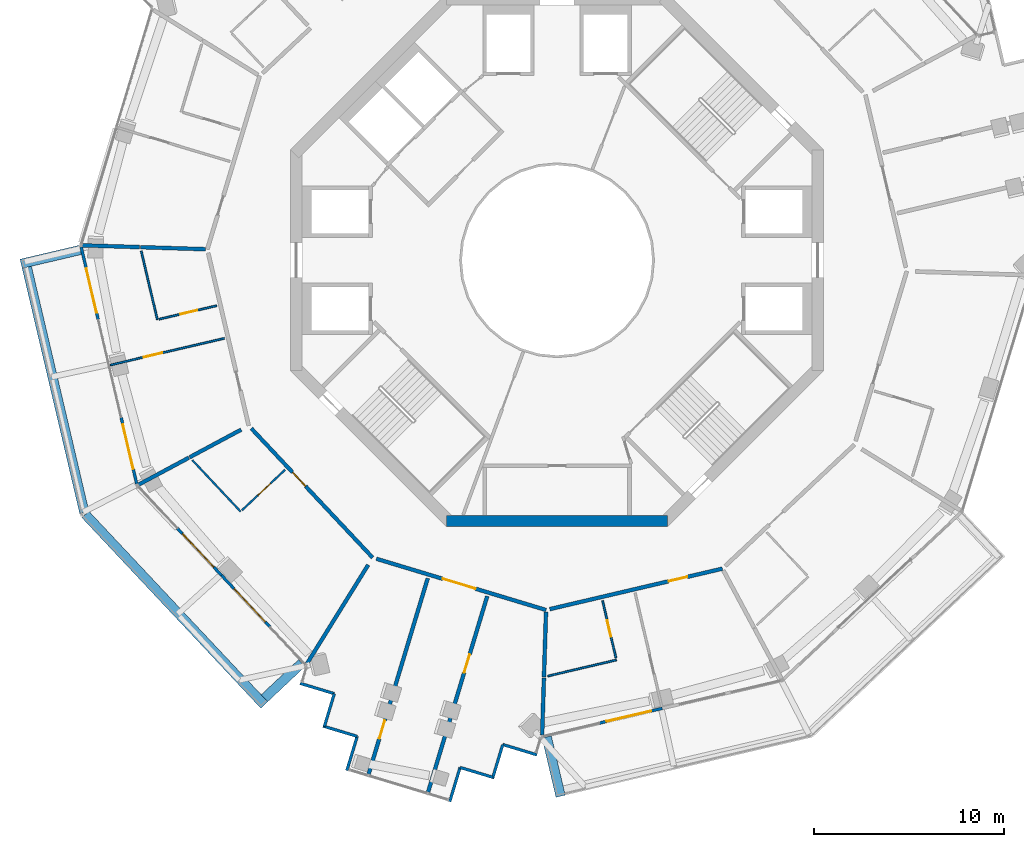
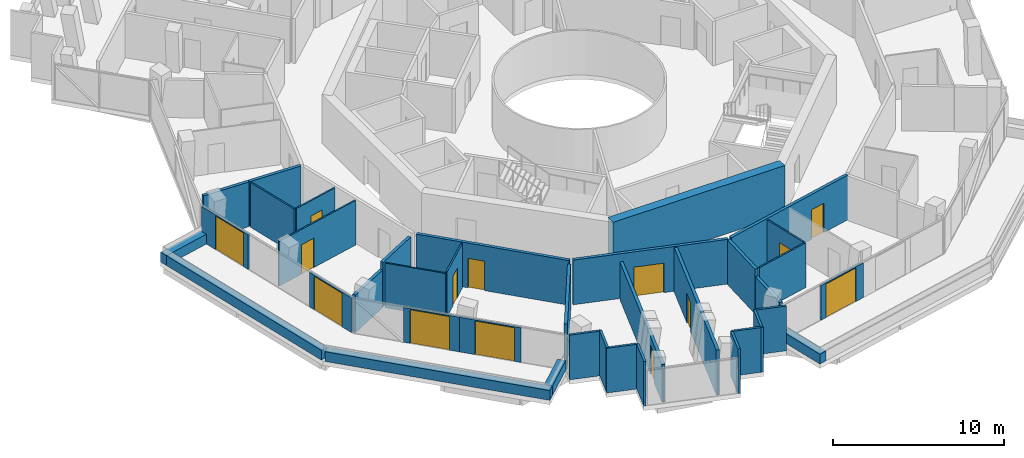
# One storey, part 16 of 24: 38 walls, 14 doors, 14 openings.
"""IFC4 building model written with IfcOpenShell, lengths in metres."""

from ifc_helpers import new_model, si_unit, direction, frame, frame_2d, origin, place, context, subcontext, project, spatial, rectangle, extrude, material, layer, layer_set, type_object, element, fill, save


model = new_model("IFC4")

# Units and contexts
model_context = context("Model", 3, precision=1e-05, world=origin(), true_north=direction((0.0, 1.0)))
body_context = subcontext(model_context, "Body", "Model", "MODEL_VIEW")
ifc_project = project(units=[si_unit("LENGTHUNIT", "METRE"), si_unit("AREAUNIT", "SQUARE_METRE"), si_unit("VOLUMEUNIT", "CUBIC_METRE"), si_unit("PLANEANGLEUNIT", "RADIAN"), si_unit("MASSUNIT", "GRAM", prefix="KILO")], contexts=[model_context])

# Site, building, storey
site_placement = place(None, origin())
site = spatial("IfcSite", under=ifc_project, at=site_placement, CompositionType="ELEMENT")
building_placement = place(site_placement, origin())
building = spatial("IfcBuilding", under=site, at=building_placement, Name="Verdalira Terraces Hotel", CompositionType="ELEMENT")
storey_placement = place(building_placement, frame((0.0, 0.0, 209.0)))
storey = spatial("IfcBuildingStorey", under=building, at=storey_placement, Name="L51", CompositionType="ELEMENT", Elevation=209.0)

# Walls
ifc_material_1 = material(Name="Concrete C40", Category="concrete")
ifc_layer_1 = layer(ifc_material_1, 0.5)
ifc_layer_set_1 = layer_set([ifc_layer_1], Name="Balcony planter trough with tree")
wall_type_1 = type_object("IfcWallType", Name="Balcony planter trough with tree", PredefinedType="SOLIDWALL", material=ifc_layer_set_1)
wall_1_placement = place(storey_placement, frame((-25.045654, 0.545166, 0.0), z_axis=(0.0, 0.0, 1.0), x_axis=(-0.973581063, -0.228341659, 0.0)))
element("IfcWall", 1, at=wall_1_placement, inside=storey, type_object=wall_type_1, Name="Balcony planter", PredefinedType="SOLIDWALL", context=body_context, shape_type="SweptSolid", body=[
    extrude(rectangle(XDim=3.198975, YDim=0.5, at=frame_2d((1.599609, 0.0))), origin(), (0.0, 0.0, 1.0), 0.699951),
])
wall_2_placement = place(storey_placement, frame((-27.859619, -0.371582, 0.0), z_axis=(0.0, 0.0, 1.0), x_axis=(0.228347739, -0.973579637, 0.0)))
element("IfcWall", 2, at=wall_2_placement, inside=storey, type_object=wall_type_1, Name="Balcony planter", PredefinedType="SOLIDWALL", context=body_context, shape_type="SweptSolid", body=[
    extrude(rectangle(XDim=13.223389, YDim=0.5, at=frame_2d((6.611816, 0.0))), origin(), (0.0, 0.0, 1.0), 0.699951),
])
wall_3_placement = place(storey_placement, frame((-24.778809, -13.359619, 0.0), z_axis=(0.0, 0.0, 1.0), x_axis=(0.68453799, -0.728977188, 0.0)))
element("IfcWall", 3, at=wall_3_placement, inside=storey, type_object=wall_type_1, Name="Balcony planter", PredefinedType="SOLIDWALL", context=body_context, shape_type="SweptSolid", body=[
    extrude(rectangle(XDim=13.723633, YDim=0.5, at=frame_2d((6.861816, 0.0))), origin(), (0.0, 0.0, 1.0), 0.699951),
])
wall_4_placement = place(storey_placement, frame((-15.373291, -23.010254, 0.0), z_axis=(0.0, 0.0, 1.0), x_axis=(0.728964327, 0.684551685, 0.0)))
element("IfcWall", 4, at=wall_4_placement, inside=storey, type_object=wall_type_1, Name="Balcony planter", PredefinedType="SOLIDWALL", context=body_context, shape_type="SweptSolid", body=[
    extrude(rectangle(XDim=2.698975, YDim=0.5, at=frame_2d((1.349609, 0.0))), origin(), (0.0, 0.0, 1.0), 0.699951),
])
wall_5_placement = place(storey_placement, frame((-0.545166, -25.045654, 0.0), z_axis=(0.0, 0.0, 1.0), x_axis=(0.228341659, -0.973581063, 0.0)))
element("IfcWall", 5, at=wall_5_placement, inside=storey, type_object=wall_type_1, Name="Balcony planter", PredefinedType="SOLIDWALL", context=body_context, shape_type="SweptSolid", body=[
    extrude(rectangle(XDim=3.198975, YDim=0.5, at=frame_2d((1.599609, 0.0))), origin(), (0.0, 0.0, 1.0), 0.699951),
])
ifc_material_2 = material(Name="Moisture-resistant gypsum board partition")
ifc_layer_2 = layer(ifc_material_2, 0.10009765625)
ifc_layer_set_2 = layer_set([ifc_layer_2], Name="Bathroom partition 100 mm")
wall_type_2 = type_object("IfcWallType", Name="Bathroom partition 100 mm", PredefinedType="PARTITIONING", material=ifc_layer_set_2)
wall_6_placement = place(storey_placement, frame((-21.84668, 0.486572, 0.0), z_axis=(0.0, 0.0, 1.0), x_axis=(0.228381684, -0.973571675, 0.0)))
element("IfcWall", 6, at=wall_6_placement, inside=storey, type_object=wall_type_2, Name="Bathroom partition", PredefinedType="PARTITIONING", context=body_context, shape_type="SweptSolid", body=[
    extrude(rectangle(XDim=3.704102, YDim=0.100098, at=frame_2d((1.852051, 0.0))), origin(), (0.0, 0.0, 1.0), 3.189941),
])

# Wall, opening, door
wall_7_placement = place(storey_placement, frame((-23.471436, -5.505127, 0.0), z_axis=(0.0, 0.0, 1.0), x_axis=(0.973581434, 0.228340078, 0.0)))
wall_7 = element("IfcWall", 7, at=wall_7_placement, inside=storey, type_object=wall_type_2, Name="Bathroom partition", PredefinedType="PARTITIONING", context=body_context, shape_type="SweptSolid", body=[
    extrude(rectangle(XDim=6.149902, YDim=0.100098, at=frame_2d((3.074951, 0.0))), origin(), (0.0, 0.0, 1.0), 3.189941),
])
opening_1_placement = place(wall_7_placement, frame((1.800049, 0.0, 0.0)))
opening_1 = element("IfcOpeningElement", 8, at=opening_1_placement, cuts=wall_7, Name="Opening L51-109", PredefinedType="OPENING", context=body_context, shape_type="SweptSolid", body=[
    extrude(rectangle(XDim=1.0, YDim=2.100098, at=frame_2d((0.5, 1.050049))), frame((0.0, 0.060059, 0.0), z_axis=(0.0, -1.0, 0.0), x_axis=(1.0, 0.0, 0.0)), (0.0, 0.0, 1.0), 0.120117),
])
ifc_material_3 = material(Name="Timber door", Category="wood")
door_type_1 = type_object("IfcDoorType", Name="Suite internal door 1000 x 2100", OperationType="NOTDEFINED", PredefinedType="DOOR", material=ifc_material_3)
door_1_placement = place(opening_1_placement, origin())
door_1 = element("IfcDoor", 9, at=door_1_placement, inside=storey, type_object=door_type_1, Name="Suite internal door 5104", OperationType="SINGLE_SWING_LEFT", OverallHeight=2.10009765625, OverallWidth=1.0, PredefinedType="DOOR", context=body_context, shape_type="SweptSolid", body=[
    extrude(rectangle(XDim=1.0, YDim=2.100098, at=frame_2d((0.5, 1.050049))), frame((0.0, 0.024902, 0.0), z_axis=(0.0, -1.0, 0.0), x_axis=(1.0, 0.0, 0.0)), (0.0, 0.0, 1.0), 0.050049),
])
fill(opening_1, door_1)

wall_8_placement = place(storey_placement, frame((-20.903564, -3.09668, 0.0), z_axis=(0.0, 0.0, 1.0), x_axis=(0.973587323, 0.228314969, 0.0)))
wall_8 = element("IfcWall", 10, at=wall_8_placement, inside=storey, type_object=wall_type_2, Name="Bathroom partition", PredefinedType="PARTITIONING", context=body_context, shape_type="SweptSolid", body=[
    extrude(rectangle(XDim=3.099854, YDim=0.100098, at=frame_2d((1.549805, 0.0))), origin(), (0.0, 0.0, 1.0), 3.189941),
])
opening_2_placement = place(wall_8_placement, frame((1.149902, 0.0, 0.0)))
opening_2 = element("IfcOpeningElement", 11, at=opening_2_placement, cuts=wall_8, Name="Opening L51-110", PredefinedType="OPENING", context=body_context, shape_type="SweptSolid", body=[
    extrude(rectangle(XDim=0.899902, YDim=2.100098, at=frame_2d((0.449951, 1.050049))), frame((0.0, 0.060059, 0.0), z_axis=(0.0, -1.0, 0.0), x_axis=(1.0, 0.0, 0.0)), (0.0, 0.0, 1.0), 0.120117),
])
ifc_material_4 = material(Name="Timber door", Category="wood")
door_type_2 = type_object("IfcDoorType", Name="Bathroom door 900 x 2100", OperationType="NOTDEFINED", PredefinedType="DOOR", material=ifc_material_4)
door_2_placement = place(opening_2_placement, origin())
door_2 = element("IfcDoor", 12, at=door_2_placement, inside=storey, type_object=door_type_2, Name="Bathroom door 5104", OperationType="SINGLE_SWING_LEFT", OverallHeight=2.10009765625, OverallWidth=0.89990234375, PredefinedType="DOOR", context=body_context, shape_type="SweptSolid", body=[
    extrude(rectangle(XDim=0.899902, YDim=2.100098, at=frame_2d((0.449951, 1.050049))), frame((0.0, 0.024902, 0.0), z_axis=(0.0, -1.0, 0.0), x_axis=(1.0, 0.0, 0.0)), (0.0, 0.0, 1.0), 0.050049),
])
fill(opening_2, door_2)

# Wall
wall_9_placement = place(storey_placement, frame((-16.627441, -13.202148, 0.0), z_axis=(0.0, 0.0, 1.0), x_axis=(-0.684546009, 0.728969657, 0.0)))
element("IfcWall", 13, at=wall_9_placement, inside=storey, type_object=wall_type_2, Name="Bathroom partition", PredefinedType="PARTITIONING", context=body_context, shape_type="SweptSolid", body=[
    extrude(rectangle(XDim=3.704102, YDim=0.100098, at=frame_2d((1.852051, 0.0))), origin(), (0.0, 0.0, 1.0), 3.189941),
])

# Wall, opening, door
wall_10_placement = place(storey_placement, frame((-16.554443, -13.133789, 0.0), z_axis=(0.0, 0.0, 1.0), x_axis=(0.728967156, 0.684548673, 0.0)))
wall_10 = element("IfcWall", 14, at=wall_10_placement, inside=storey, type_object=wall_type_2, Name="Bathroom partition", PredefinedType="PARTITIONING", context=body_context, shape_type="SweptSolid", body=[
    extrude(rectangle(XDim=3.099854, YDim=0.100098, at=frame_2d((1.549805, 0.0))), origin(), (0.0, 0.0, 1.0), 3.189941),
])
opening_3_placement = place(wall_10_placement, frame((1.149902, 0.0, 0.0)))
opening_3 = element("IfcOpeningElement", 15, at=opening_3_placement, cuts=wall_10, Name="Opening L51-112", PredefinedType="OPENING", context=body_context, shape_type="SweptSolid", body=[
    extrude(rectangle(XDim=0.899902, YDim=2.100098, at=frame_2d((0.449951, 1.050049))), frame((0.0, 0.060059, 0.0), z_axis=(0.0, -1.0, 0.0), x_axis=(1.0, 0.0, 0.0)), (0.0, 0.0, 1.0), 0.120117),
])
door_3_placement = place(opening_3_placement, origin())
door_3 = element("IfcDoor", 16, at=door_3_placement, inside=storey, type_object=door_type_2, Name="Bathroom door 5105", OperationType="SINGLE_SWING_LEFT", OverallHeight=2.10009765625, OverallWidth=0.89990234375, PredefinedType="DOOR", context=body_context, shape_type="SweptSolid", body=[
    extrude(rectangle(XDim=0.899902, YDim=2.100098, at=frame_2d((0.449951, 1.050049))), frame((0.0, 0.024902, 0.0), z_axis=(0.0, -1.0, 0.0), x_axis=(1.0, 0.0, 0.0)), (0.0, 0.0, 1.0), 0.050049),
])
fill(opening_3, door_3)

# Wall
wall_11_placement = place(storey_placement, frame((-0.486572, -21.84668, 0.0), z_axis=(0.0, 0.0, 1.0), x_axis=(0.973571675, 0.228381684, 0.0)))
element("IfcWall", 17, at=wall_11_placement, inside=storey, type_object=wall_type_2, Name="Bathroom partition", PredefinedType="PARTITIONING", context=body_context, shape_type="SweptSolid", body=[
    extrude(rectangle(XDim=3.704102, YDim=0.100098, at=frame_2d((1.852051, 0.0))), origin(), (0.0, 0.0, 1.0), 3.189941),
])

# Wall, opening, door
wall_12_placement = place(storey_placement, frame((3.09668, -20.903564, 0.0), z_axis=(0.0, 0.0, 1.0), x_axis=(-0.228314969, 0.973587323, 0.0)))
wall_12 = element("IfcWall", 18, at=wall_12_placement, inside=storey, type_object=wall_type_2, Name="Bathroom partition", PredefinedType="PARTITIONING", context=body_context, shape_type="SweptSolid", body=[
    extrude(rectangle(XDim=3.099854, YDim=0.100098, at=frame_2d((1.549805, 0.0))), origin(), (0.0, 0.0, 1.0), 3.189941),
])
opening_4_placement = place(wall_12_placement, frame((1.149902, 0.0, 0.0)))
opening_4 = element("IfcOpeningElement", 19, at=opening_4_placement, cuts=wall_12, Name="Opening L51-118", PredefinedType="OPENING", context=body_context, shape_type="SweptSolid", body=[
    extrude(rectangle(XDim=0.899902, YDim=2.100098, at=frame_2d((0.449951, 1.050049))), frame((0.0, 0.060059, 0.0), z_axis=(0.0, -1.0, 0.0), x_axis=(1.0, 0.0, 0.0)), (0.0, 0.0, 1.0), 0.120117),
])
door_4_placement = place(opening_4_placement, origin())
door_4 = element("IfcDoor", 20, at=door_4_placement, inside=storey, type_object=door_type_2, Name="Bathroom door 5107", OperationType="SINGLE_SWING_LEFT", OverallHeight=2.10009765625, OverallWidth=0.89990234375, PredefinedType="DOOR", context=body_context, shape_type="SweptSolid", body=[
    extrude(rectangle(XDim=0.899902, YDim=2.100098, at=frame_2d((0.449951, 1.050049))), frame((0.0, 0.024902, 0.0), z_axis=(0.0, -1.0, 0.0), x_axis=(1.0, 0.0, 0.0)), (0.0, 0.0, 1.0), 0.050049),
])
fill(opening_4, door_4)

# Walls
ifc_material_5 = material(Name="Concrete C60", Category="concrete")
ifc_layer_3 = layer(ifc_material_5, 0.60009765625)
ifc_layer_set_3 = layer_set([ifc_layer_3], Name="Core wall 600 C60")
wall_type_3 = type_object("IfcWallType", Name="Core wall 600 C60", PredefinedType="SHEAR", material=ifc_layer_set_3)
wall_13_placement = place(storey_placement, frame((-5.799072, -13.699951, 0.0), z_axis=(0.0, 0.0, 1.0), x_axis=(1.0, 0.0, 0.0)))
element("IfcWall", 21, at=wall_13_placement, inside=storey, type_object=wall_type_3, Name="Core wall CW-L51-7", PredefinedType="SHEAR", context=body_context, shape_type="SweptSolid", body=[
    extrude(rectangle(XDim=11.598145, YDim=0.600098, at=frame_2d((5.799072, 0.0))), origin(), (0.0, 0.0, 1.0), 3.5),
])
ifc_material_6 = material(Name="Fire-rated gypsum board wall")
ifc_layer_4 = layer(ifc_material_6, 0.199951171875)
ifc_layer_set_4 = layer_set([ifc_layer_4], Name="Demising wall 200 mm")
wall_type_4 = type_object("IfcWallType", Name="Demising wall 200 mm", PredefinedType="SOLIDWALL", material=ifc_layer_set_4)
wall_14_placement = place(storey_placement, frame((-21.941895, 0.689453, 0.0), z_axis=(0.0, 0.0, 1.0), x_axis=(-0.999505171, 0.031454944, 0.0)))
element("IfcWall", 22, at=wall_14_placement, inside=storey, type_object=wall_type_4, Name="Demising wall", PredefinedType="SOLIDWALL", context=body_context, shape_type="SweptSolid", body=[
    extrude(rectangle(XDim=3.011475, YDim=0.199951, at=frame_2d((1.505859, 0.0))), origin(), (0.0, 0.0, 1.0), 3.189941),
])
wall_15_placement = place(storey_placement, frame((-18.479248, 0.580811, 0.0), z_axis=(0.0, 0.0, 1.0), x_axis=(-0.999508376, 0.031352924, 0.0)))
element("IfcWall", 23, at=wall_15_placement, inside=storey, type_object=wall_type_4, Name="Demising wall", PredefinedType="SOLIDWALL", context=body_context, shape_type="SweptSolid", body=[
    extrude(rectangle(XDim=3.418457, YDim=0.199951, at=frame_2d((1.709229, 0.0))), origin(), (0.0, 0.0, 1.0), 3.189941),
])
wall_16_placement = place(storey_placement, frame((-16.59668, -8.89917, 0.0), z_axis=(0.0, 0.0, 1.0), x_axis=(-0.88131111, -0.472536482, 0.0)))
element("IfcWall", 24, at=wall_16_placement, inside=storey, type_object=wall_type_4, Name="Demising wall", PredefinedType="SOLIDWALL", context=body_context, shape_type="SweptSolid", body=[
    extrude(rectangle(XDim=3.074707, YDim=0.199951, at=frame_2d((1.537354, 0.0))), origin(), (0.0, 0.0, 1.0), 3.189941),
])
wall_17_placement = place(storey_placement, frame((-13.155029, -21.216797, 0.0), z_axis=(0.0, 0.0, 1.0), x_axis=(0.526964401, 0.849887357, 0.0)))
element("IfcWall", 25, at=wall_17_placement, inside=storey, type_object=wall_type_4, Name="Demising wall", PredefinedType="SOLIDWALL", context=body_context, shape_type="SweptSolid", body=[
    extrude(rectangle(XDim=6.13208, YDim=0.199951, at=frame_2d((3.065918, 0.0))), origin(), (0.0, 0.0, 1.0), 3.189941),
])

# Wall, opening, door
wall_18_placement = place(storey_placement, frame((-3.669434, -17.651123, 0.0), z_axis=(0.0, 0.0, 1.0), x_axis=(-0.289037187, -0.95731787, 0.0)))
wall_18 = element("IfcWall", 26, at=wall_18_placement, inside=storey, type_object=wall_type_4, Name="Demising wall", PredefinedType="SOLIDWALL", context=body_context, shape_type="SweptSolid", body=[
    extrude(rectangle(XDim=10.75, YDim=0.199951, at=frame_2d((5.375, 0.0))), origin(), (0.0, 0.0, 1.0), 3.189941),
])
opening_5_placement = place(wall_18_placement, frame((3.199951, 0.0, 0.0)))
opening_5 = element("IfcOpeningElement", 27, at=opening_5_placement, cuts=wall_18, Name="Opening L51-115", PredefinedType="OPENING", context=body_context, shape_type="SweptSolid", body=[
    extrude(rectangle(XDim=1.0, YDim=2.100098, at=frame_2d((0.5, 1.050049))), frame((0.0, 0.109863, 0.0), z_axis=(0.0, -1.0, 0.0), x_axis=(1.0, 0.0, 0.0)), (0.0, 0.0, 1.0), 0.219971),
])
ifc_material_7 = material(Name="Timber fire door", Category="wood")
door_type_3 = type_object("IfcDoorType", Name="Public room door 1000 x 2100", OperationType="NOTDEFINED", PredefinedType="DOOR", material=ifc_material_7)
door_5_placement = place(opening_5_placement, origin())
door_5 = element("IfcDoor", 28, at=door_5_placement, inside=storey, type_object=door_type_3, Name="Public room door 5106", OperationType="SINGLE_SWING_LEFT", OverallHeight=2.10009765625, OverallWidth=1.0, PredefinedType="DOOR", context=body_context, shape_type="SweptSolid", body=[
    extrude(rectangle(XDim=1.0, YDim=2.100098, at=frame_2d((0.5, 1.050049))), frame((0.0, 0.024902, 0.0), z_axis=(0.0, -1.0, 0.0), x_axis=(1.0, 0.0, 0.0)), (0.0, 0.0, 1.0), 0.050049),
])
fill(opening_5, door_5)

# Walls
wall_19_placement = place(storey_placement, frame((-0.580811, -18.479248, 0.0), z_axis=(0.0, 0.0, 1.0), x_axis=(-0.031352924, -0.999508376, 0.0)))
element("IfcWall", 29, at=wall_19_placement, inside=storey, type_object=wall_type_4, Name="Demising wall", PredefinedType="SOLIDWALL", context=body_context, shape_type="SweptSolid", body=[
    extrude(rectangle(XDim=3.418457, YDim=0.199951, at=frame_2d((1.709229, 0.0))), origin(), (0.0, 0.0, 1.0), 3.189941),
])
ifc_material_8 = material(Name="Fire-rated gypsum board wall")
ifc_layer_5 = layer(ifc_material_8, 0.199951171875)
ifc_layer_set_5 = layer_set([ifc_layer_5], Name="Demising wall 200 mm to beam soffit")
wall_type_5 = type_object("IfcWallType", Name="Demising wall 200 mm to beam soffit", PredefinedType="SOLIDWALL", material=ifc_layer_set_5)
wall_20_placement = place(storey_placement, frame((-19.346924, -10.373779, 0.0), z_axis=(0.0, 0.0, 1.0), x_axis=(-0.881302745, -0.472552084, 0.0)))
element("IfcWall", 30, at=wall_20_placement, inside=storey, type_object=wall_type_5, Name="Demising wall", PredefinedType="SOLIDWALL", context=body_context, shape_type="SweptSolid", body=[
    extrude(rectangle(XDim=3.011475, YDim=0.199951, at=frame_2d((1.505859, 0.0))), origin(), (0.0, 0.0, 1.0), 2.689941),
])

# Wall, opening, door
wall_21_placement = place(storey_placement, frame((-9.901855, -26.998779, 0.0), z_axis=(0.0, 0.0, 1.0), x_axis=(0.289037187, 0.95731787, 0.0)))
wall_21 = element("IfcWall", 31, at=wall_21_placement, inside=storey, type_object=wall_type_5, Name="Demising wall", PredefinedType="SOLIDWALL", context=body_context, shape_type="SweptSolid", body=[
    extrude(rectangle(XDim=10.75, YDim=0.199951, at=frame_2d((5.375, 0.0))), origin(), (0.0, 0.0, 1.0), 2.689941),
])
opening_6_placement = place(wall_21_placement, frame((1.949951, 0.0, 0.0)))
opening_6 = element("IfcOpeningElement", 32, at=opening_6_placement, cuts=wall_21, Name="Opening L51-114", PredefinedType="OPENING", context=body_context, shape_type="SweptSolid", body=[
    extrude(rectangle(XDim=1.0, YDim=2.100098, at=frame_2d((0.5, 1.050049))), frame((0.0, 0.109863, 0.0), z_axis=(0.0, -1.0, 0.0), x_axis=(1.0, 0.0, 0.0)), (0.0, 0.0, 1.0), 0.219971),
])
door_6_placement = place(opening_6_placement, origin())
door_6 = element("IfcDoor", 33, at=door_6_placement, inside=storey, type_object=door_type_3, Name="Public room door 5106", OperationType="SINGLE_SWING_LEFT", OverallHeight=2.10009765625, OverallWidth=1.0, PredefinedType="DOOR", context=body_context, shape_type="SweptSolid", body=[
    extrude(rectangle(XDim=1.0, YDim=2.100098, at=frame_2d((0.5, 1.050049))), frame((0.0, 0.024902, 0.0), z_axis=(0.0, -1.0, 0.0), x_axis=(1.0, 0.0, 0.0)), (0.0, 0.0, 1.0), 0.050049),
])
fill(opening_6, door_6)

# Wall
wall_22_placement = place(storey_placement, frame((-0.689453, -21.941895, 0.0), z_axis=(0.0, 0.0, 1.0), x_axis=(-0.031454944, -0.999505171, 0.0)))
element("IfcWall", 34, at=wall_22_placement, inside=storey, type_object=wall_type_5, Name="Demising wall", PredefinedType="SOLIDWALL", context=body_context, shape_type="SweptSolid", body=[
    extrude(rectangle(XDim=3.011475, YDim=0.199951, at=frame_2d((1.505859, 0.0))), origin(), (0.0, 0.0, 1.0), 2.689941),
])

# Wall, opening, door
ifc_material_9 = material(Name="Fire-rated gypsum board wall")
ifc_layer_6 = layer(ifc_material_9, 0.199951171875)
ifc_layer_set_6 = layer_set([ifc_layer_6], Name="Guest corridor wall 200 mm")
wall_type_6 = type_object("IfcWallType", Name="Guest corridor wall 200 mm", PredefinedType="SOLIDWALL", material=ifc_layer_set_6)
wall_23_placement = place(storey_placement, frame((-9.687988, -15.625, 0.0), z_axis=(0.0, 0.0, 1.0), x_axis=(-0.684549323, 0.728966545, 0.0)))
wall_23 = element("IfcWall", 35, at=wall_23_placement, inside=storey, type_object=wall_type_6, Name="Guest corridor wall", PredefinedType="SOLIDWALL", context=body_context, shape_type="SweptSolid", body=[
    extrude(rectangle(XDim=9.31665, YDim=0.199951, at=frame_2d((4.658203, 0.0))), origin(), (0.0, 0.0, 1.0), 3.189941),
])
opening_7_placement = place(wall_23_placement, frame((5.149902, 0.0, 0.0)))
opening_7 = element("IfcOpeningElement", 36, at=opening_7_placement, cuts=wall_23, Name="Opening L51-111", PredefinedType="OPENING", context=body_context, shape_type="SweptSolid", body=[
    extrude(rectangle(XDim=1.0, YDim=2.100098, at=frame_2d((0.5, 1.050049))), frame((0.0, 0.109863, 0.0), z_axis=(0.0, -1.0, 0.0), x_axis=(1.0, 0.0, 0.0)), (0.0, 0.0, 1.0), 0.219971),
])
ifc_material_10 = material(Name="Timber fire door", Category="wood")
door_type_4 = type_object("IfcDoorType", Name="Guest entry door 1000 x 2100", OperationType="NOTDEFINED", PredefinedType="DOOR", material=ifc_material_10)
door_7_placement = place(opening_7_placement, origin())
door_7 = element("IfcDoor", 37, at=door_7_placement, inside=storey, type_object=door_type_4, Name="Guest entry door 5105", OperationType="SINGLE_SWING_LEFT", OverallHeight=2.10009765625, OverallWidth=1.0, PredefinedType="DOOR", context=body_context, shape_type="SweptSolid", body=[
    extrude(rectangle(XDim=1.0, YDim=2.100098, at=frame_2d((0.5, 1.050049))), frame((0.0, 0.024902, 0.0), z_axis=(0.0, -1.0, 0.0), x_axis=(1.0, 0.0, 0.0)), (0.0, 0.0, 1.0), 0.050049),
])
fill(opening_7, door_7)

wall_24_placement = place(storey_placement, frame((-0.577393, -18.375732, 0.0), z_axis=(0.0, 0.0, 1.0), x_axis=(-0.957319229, 0.289032685, 0.0)))
wall_24 = element("IfcWall", 38, at=wall_24_placement, inside=storey, type_object=wall_type_6, Name="Guest corridor wall", PredefinedType="SOLIDWALL", context=body_context, shape_type="SweptSolid", body=[
    extrude(rectangle(XDim=9.316895, YDim=0.199951, at=frame_2d((4.658447, 0.0))), origin(), (0.0, 0.0, 1.0), 3.189941),
])
opening_8_placement = place(wall_24_placement, frame((3.869385, 0.0, 0.0)))
opening_8 = element("IfcOpeningElement", 39, at=opening_8_placement, cuts=wall_24, Name="Opening L51-113", PredefinedType="OPENING", context=body_context, shape_type="SweptSolid", body=[
    extrude(rectangle(XDim=1.800049, YDim=2.100098, at=frame_2d((0.899902, 1.050049))), frame((0.0, 0.109863, 0.0), z_axis=(0.0, -1.0, 0.0), x_axis=(1.0, 0.0, 0.0)), (0.0, 0.0, 1.0), 0.219971),
])
ifc_material_11 = material(Name="Timber fire door", Category="wood")
door_type_5 = type_object("IfcDoorType", Name="Public room double door 1800 x 2100", OperationType="NOTDEFINED", PredefinedType="DOOR", material=ifc_material_11)
door_8_placement = place(opening_8_placement, origin())
door_8 = element("IfcDoor", 40, at=door_8_placement, inside=storey, type_object=door_type_5, Name="Public room double door 5106", OperationType="DOUBLE_DOOR_SINGLE_SWING", OverallHeight=2.10009765625, OverallWidth=1.800048828125, PredefinedType="DOOR", context=body_context, shape_type="SweptSolid", body=[
    extrude(rectangle(XDim=1.800049, YDim=2.100098, at=frame_2d((0.899902, 1.050049))), frame((0.0, 0.024902, 0.0), z_axis=(0.0, -1.0, 0.0), x_axis=(1.0, 0.0, 0.0)), (0.0, 0.0, 1.0), 0.050049),
])
fill(opening_8, door_8)

wall_25_placement = place(storey_placement, frame((8.687744, -16.202637, 0.0), z_axis=(0.0, 0.0, 1.0), x_axis=(-0.97357982, -0.228346959, 0.0)))
wall_25 = element("IfcWall", 41, at=wall_25_placement, inside=storey, type_object=wall_type_6, Name="Guest corridor wall", PredefinedType="SOLIDWALL", context=body_context, shape_type="SweptSolid", body=[
    extrude(rectangle(XDim=9.31665, YDim=0.199951, at=frame_2d((4.658203, 0.0))), origin(), (0.0, 0.0, 1.0), 3.189941),
])
opening_9_placement = place(wall_25_placement, frame((1.899902, 0.0, 0.0)))
opening_9 = element("IfcOpeningElement", 42, at=opening_9_placement, cuts=wall_25, Name="Opening L51-116", PredefinedType="OPENING", context=body_context, shape_type="SweptSolid", body=[
    extrude(rectangle(XDim=1.0, YDim=2.100098, at=frame_2d((0.5, 1.050049))), frame((0.0, 0.109863, 0.0), z_axis=(0.0, -1.0, 0.0), x_axis=(1.0, 0.0, 0.0)), (0.0, 0.0, 1.0), 0.219971),
])
door_9_placement = place(opening_9_placement, origin())
door_9 = element("IfcDoor", 43, at=door_9_placement, inside=storey, type_object=door_type_4, Name="Guest entry door 5107", OperationType="SINGLE_SWING_LEFT", OverallHeight=2.10009765625, OverallWidth=1.0, PredefinedType="DOOR", context=body_context, shape_type="SweptSolid", body=[
    extrude(rectangle(XDim=1.0, YDim=2.100098, at=frame_2d((0.5, 1.050049))), frame((0.0, 0.024902, 0.0), z_axis=(0.0, -1.0, 0.0), x_axis=(1.0, 0.0, 0.0)), (0.0, 0.0, 1.0), 0.050049),
])
fill(opening_9, door_9)

# Walls
ifc_material_12 = material(Name="Terracotta cladding", Category="masonry")
ifc_layer_7 = layer(ifc_material_12, 0.14990234375)
ifc_layer_set_7 = layer_set([ifc_layer_7], Name="Terracotta clad wall 150")
wall_type_7 = type_object("IfcWallType", Name="Terracotta clad wall 150", PredefinedType="SOLIDWALL", material=ifc_layer_set_7)
wall_26_placement = place(storey_placement, frame((-13.501465, -22.229736, 0.0), z_axis=(0.0, 0.0, 1.0), x_axis=(0.957319555, -0.289031608, 0.0)))
element("IfcWall", 44, at=wall_26_placement, inside=storey, type_object=wall_type_7, Name="Terracotta cladding wall", PredefinedType="SOLIDWALL", context=body_context, shape_type="SweptSolid", body=[
    extrude(rectangle(XDim=1.875244, YDim=0.149902, at=frame_2d((0.9375, 0.0))), origin(), (0.0, 0.0, 1.0), 3.189941),
])
wall_27_placement = place(storey_placement, frame((-11.706299, -22.771729, 0.0), z_axis=(0.0, 0.0, 1.0), x_axis=(-0.289039773, -0.957317089, 0.0)))
element("IfcWall", 45, at=wall_27_placement, inside=storey, type_object=wall_type_7, Name="Terracotta cladding wall", PredefinedType="SOLIDWALL", context=body_context, shape_type="SweptSolid", body=[
    extrude(rectangle(XDim=1.800049, YDim=0.149902, at=frame_2d((0.899902, 0.0))), origin(), (0.0, 0.0, 1.0), 3.189941),
])
for number, where, z_axis, x_axis, name in (
    (46, (-12.29834, -24.473145, 0.0), (0.0, 0.0, 1.0), (0.957308676, -0.289067636, 0.0), "Terracotta cladding wall"),
    (47, (-10.503418, -25.015137, 0.0), (0.0, 0.0, 1.0), (-0.289067636, -0.957308676, 0.0), "Terracotta cladding wall"),
    (48, (-5.636475, -28.443115, 0.0), (0.0, 0.0, 1.0), (0.288948299, 0.957344703, 0.0), "Terracotta cladding wall"),
):
    element("IfcWall", number, at=place(storey_placement, frame(where, z_axis=z_axis, x_axis=x_axis)), inside=storey, type_object=wall_type_7, Name=name, PredefinedType="SOLIDWALL", context=body_context, shape_type="SweptSolid", body=[
        extrude(rectangle(XDim=1.875, YDim=0.149902, at=frame_2d((0.9375, 0.0))), origin(), (0.0, 0.0, 1.0), 3.189941),
    ])
wall_28_placement = place(storey_placement, frame((-5.094727, -26.648193, 0.0), z_axis=(0.0, 0.0, 1.0), x_axis=(0.957328419, -0.289002247, 0.0)))
element("IfcWall", 49, at=wall_28_placement, inside=storey, type_object=wall_type_7, Name="Terracotta cladding wall", PredefinedType="SOLIDWALL", context=body_context, shape_type="SweptSolid", body=[
    extrude(rectangle(XDim=1.800293, YDim=0.149902, at=frame_2d((0.900146, 0.0))), origin(), (0.0, 0.0, 1.0), 3.189941),
])
for number, where, z_axis, x_axis, name in (
    (50, (-3.393066, -27.240234, 0.0), (0.0, 0.0, 1.0), (0.289067636, 0.957308676, 0.0), "Terracotta cladding wall"),
    (51, (-2.851074, -25.445312, 0.0), (0.0, 0.0, 1.0), (0.957308676, -0.289067636, 0.0), "Terracotta cladding wall"),
):
    element("IfcWall", number, at=place(storey_placement, frame(where, z_axis=z_axis, x_axis=x_axis)), inside=storey, type_object=wall_type_7, Name=name, PredefinedType="SOLIDWALL", context=body_context, shape_type="SweptSolid", body=[
        extrude(rectangle(XDim=1.875, YDim=0.149902, at=frame_2d((0.9375, 0.0))), origin(), (0.0, 0.0, 1.0), 3.189941),
    ])

# Wall, opening, door
ifc_material_13 = material(Name="Terracotta cladding", Category="masonry")
ifc_layer_8 = layer(ifc_material_13, 0.14990234375)
ifc_layer_set_8 = layer_set([ifc_layer_8], Name="Terracotta door pier 150")
wall_type_8 = type_object("IfcWallType", Name="Terracotta door pier 150", PredefinedType="SOLIDWALL", material=ifc_layer_set_8)
wall_29_placement = place(storey_placement, frame((-25.005859, 0.708496, 0.0), z_axis=(0.0, 0.0, 1.0), x_axis=(0.228363583, -0.973575921, 0.0)))
wall_29 = element("IfcWall", 52, at=wall_29_placement, inside=storey, type_object=wall_type_8, Name="Terracotta door pier", PredefinedType="SOLIDWALL", context=body_context, shape_type="SweptSolid", body=[
    extrude(rectangle(XDim=3.967285, YDim=0.149902, at=frame_2d((1.983643, 0.0))), origin(), (0.0, 0.0, 1.0), 2.475098),
])
opening_10_placement = place(wall_29_placement, frame((1.167236, 0.0, 0.0)))
opening_10 = element("IfcOpeningElement", 53, at=opening_10_placement, cuts=wall_29, Name="Opening L51-B01", PredefinedType="OPENING", context=body_context, shape_type="SweptSolid", body=[
    extrude(rectangle(XDim=2.399902, YDim=2.399902, at=frame_2d((1.199951, 1.199951))), frame((0.0, 0.084961, 0.0), z_axis=(0.0, -1.0, 0.0), x_axis=(1.0, 0.0, 0.0)), (0.0, 0.0, 1.0), 0.169922),
])
ifc_material_14 = material(Name="Clear glass", Category="glass")
door_type_6 = type_object("IfcDoorType", Name="Balcony sliding door 2400x2400", OperationType="NOTDEFINED", PredefinedType="DOOR", material=ifc_material_14)
door_10_placement = place(opening_10_placement, origin())
door_10 = element("IfcDoor", 54, at=door_10_placement, inside=storey, type_object=door_type_6, Name="Balcony sliding door", OperationType="SLIDING_TO_LEFT", OverallHeight=2.39990234375, OverallWidth=2.39990234375, PredefinedType="DOOR", context=body_context, shape_type="SweptSolid", body=[
    extrude(rectangle(XDim=2.399902, YDim=2.399902, at=frame_2d((1.199951, 1.199951))), frame((0.0, 0.024902, 0.0), z_axis=(0.0, -1.0, 0.0), x_axis=(1.0, 0.0, 0.0)), (0.0, 0.0, 1.0), 0.050049),
])
fill(opening_10, door_10)

wall_30_placement = place(storey_placement, frame((-22.906982, -8.239746, 0.0), z_axis=(0.0, 0.0, 1.0), x_axis=(0.228341634, -0.973581069, 0.0)))
wall_30 = element("IfcWall", 55, at=wall_30_placement, inside=storey, type_object=wall_type_8, Name="Terracotta door pier", PredefinedType="SOLIDWALL", context=body_context, shape_type="SweptSolid", body=[
    extrude(rectangle(XDim=3.608398, YDim=0.149902, at=frame_2d((1.804199, 0.0))), origin(), (0.0, 0.0, 1.0), 2.475098),
])
opening_11_placement = place(wall_30_placement, frame((0.399902, 0.0, 0.0)))
opening_11 = element("IfcOpeningElement", 56, at=opening_11_placement, cuts=wall_30, Name="Opening L51-B02", PredefinedType="OPENING", context=body_context, shape_type="SweptSolid", body=[
    extrude(rectangle(XDim=2.399902, YDim=2.399902, at=frame_2d((1.199951, 1.199951))), frame((0.0, 0.084961, 0.0), z_axis=(0.0, -1.0, 0.0), x_axis=(1.0, 0.0, 0.0)), (0.0, 0.0, 1.0), 0.169922),
])
door_11_placement = place(opening_11_placement, origin())
door_11 = element("IfcDoor", 57, at=door_11_placement, inside=storey, type_object=door_type_6, Name="Balcony sliding door", OperationType="SLIDING_TO_RIGHT", OverallHeight=2.39990234375, OverallWidth=2.39990234375, PredefinedType="DOOR", context=body_context, shape_type="SweptSolid", body=[
    extrude(rectangle(XDim=2.399902, YDim=2.399902, at=frame_2d((1.199951, 1.199951))), frame((0.0, 0.024902, 0.0), z_axis=(0.0, -1.0, 0.0), x_axis=(1.0, 0.0, 0.0)), (0.0, 0.0, 1.0), 0.050049),
])
fill(opening_11, door_11)

wall_31_placement = place(storey_placement, frame((-19.956299, -14.076172, 0.0), z_axis=(0.0, 0.0, 1.0), x_axis=(0.684533271, -0.728981619, 0.0)))
wall_31 = element("IfcWall", 58, at=wall_31_placement, inside=storey, type_object=wall_type_8, Name="Terracotta door pier", PredefinedType="SOLIDWALL", context=body_context, shape_type="SweptSolid", body=[
    extrude(rectangle(XDim=3.399902, YDim=0.149902, at=frame_2d((1.699951, 0.0))), origin(), (0.0, 0.0, 1.0), 2.475098),
])
opening_12_placement = place(wall_31_placement, frame((0.399902, 0.0, 0.0)))
opening_12 = element("IfcOpeningElement", 59, at=opening_12_placement, cuts=wall_31, Name="Opening L51-B03", PredefinedType="OPENING", context=body_context, shape_type="SweptSolid", body=[
    extrude(rectangle(XDim=2.399902, YDim=2.399902, at=frame_2d((1.199951, 1.199951))), frame((0.0, 0.084961, 0.0), z_axis=(0.0, -1.0, 0.0), x_axis=(1.0, 0.0, 0.0)), (0.0, 0.0, 1.0), 0.169922),
])
door_12_placement = place(opening_12_placement, origin())
door_12 = element("IfcDoor", 60, at=door_12_placement, inside=storey, type_object=door_type_6, Name="Balcony sliding door", OperationType="SLIDING_TO_RIGHT", OverallHeight=2.39990234375, OverallWidth=2.39990234375, PredefinedType="DOOR", context=body_context, shape_type="SweptSolid", body=[
    extrude(rectangle(XDim=2.399902, YDim=2.399902, at=frame_2d((1.199951, 1.199951))), frame((0.0, 0.024902, 0.0), z_axis=(0.0, -1.0, 0.0), x_axis=(1.0, 0.0, 0.0)), (0.0, 0.0, 1.0), 0.050049),
])
fill(opening_12, door_12)

wall_32_placement = place(storey_placement, frame((-17.628906, -16.554688, 0.0), z_axis=(0.0, 0.0, 1.0), x_axis=(0.684558422, -0.728958001, 0.0)))
wall_32 = element("IfcWall", 61, at=wall_32_placement, inside=storey, type_object=wall_type_8, Name="Terracotta door pier", PredefinedType="SOLIDWALL", context=body_context, shape_type="SweptSolid", body=[
    extrude(rectangle(XDim=3.76123, YDim=0.149902, at=frame_2d((1.880615, 0.0))), origin(), (0.0, 0.0, 1.0), 2.475098),
])
opening_13_placement = place(wall_32_placement, frame((0.961182, 0.0, 0.0)))
opening_13 = element("IfcOpeningElement", 62, at=opening_13_placement, cuts=wall_32, Name="Opening L51-B04", PredefinedType="OPENING", context=body_context, shape_type="SweptSolid", body=[
    extrude(rectangle(XDim=2.399902, YDim=2.399902, at=frame_2d((1.199951, 1.199951))), frame((0.0, 0.084961, 0.0), z_axis=(0.0, -1.0, 0.0), x_axis=(1.0, 0.0, 0.0)), (0.0, 0.0, 1.0), 0.169922),
])
door_13_placement = place(opening_13_placement, origin())
door_13 = element("IfcDoor", 63, at=door_13_placement, inside=storey, type_object=door_type_6, Name="Balcony sliding door", OperationType="SLIDING_TO_LEFT", OverallHeight=2.39990234375, OverallWidth=2.39990234375, PredefinedType="DOOR", context=body_context, shape_type="SweptSolid", body=[
    extrude(rectangle(XDim=2.399902, YDim=2.399902, at=frame_2d((1.199951, 1.199951))), frame((0.0, 0.024902, 0.0), z_axis=(0.0, -1.0, 0.0), x_axis=(1.0, 0.0, 0.0)), (0.0, 0.0, 1.0), 0.050049),
])
fill(opening_13, door_13)

wall_33_placement = place(storey_placement, frame((2.212158, -24.320801, 0.0), z_axis=(0.0, 0.0, 1.0), x_axis=(0.973578906, 0.228350857, 0.0)))
wall_33 = element("IfcWall", 64, at=wall_33_placement, inside=storey, type_object=wall_type_8, Name="Terracotta door pier", PredefinedType="SOLIDWALL", context=body_context, shape_type="SweptSolid", body=[
    extrude(rectangle(XDim=3.399902, YDim=0.149902, at=frame_2d((1.699951, 0.0))), origin(), (0.0, 0.0, 1.0), 2.475098),
])
opening_14_placement = place(wall_33_placement, frame((0.399902, 0.0, 0.0)))
opening_14 = element("IfcOpeningElement", 65, at=opening_14_placement, cuts=wall_33, Name="Opening L51-B05", PredefinedType="OPENING", context=body_context, shape_type="SweptSolid", body=[
    extrude(rectangle(XDim=2.399902, YDim=2.399902, at=frame_2d((1.199951, 1.199951))), frame((0.0, 0.084961, 0.0), z_axis=(0.0, -1.0, 0.0), x_axis=(1.0, 0.0, 0.0)), (0.0, 0.0, 1.0), 0.169922),
])
door_14_placement = place(opening_14_placement, origin())
door_14 = element("IfcDoor", 66, at=door_14_placement, inside=storey, type_object=door_type_6, Name="Balcony sliding door", OperationType="SLIDING_TO_RIGHT", OverallHeight=2.39990234375, OverallWidth=2.39990234375, PredefinedType="DOOR", context=body_context, shape_type="SweptSolid", body=[
    extrude(rectangle(XDim=2.399902, YDim=2.399902, at=frame_2d((1.199951, 1.199951))), frame((0.0, 0.024902, 0.0), z_axis=(0.0, -1.0, 0.0), x_axis=(1.0, 0.0, 0.0)), (0.0, 0.0, 1.0), 0.050049),
])
fill(opening_14, door_14)

save(model, "model.ifc")
